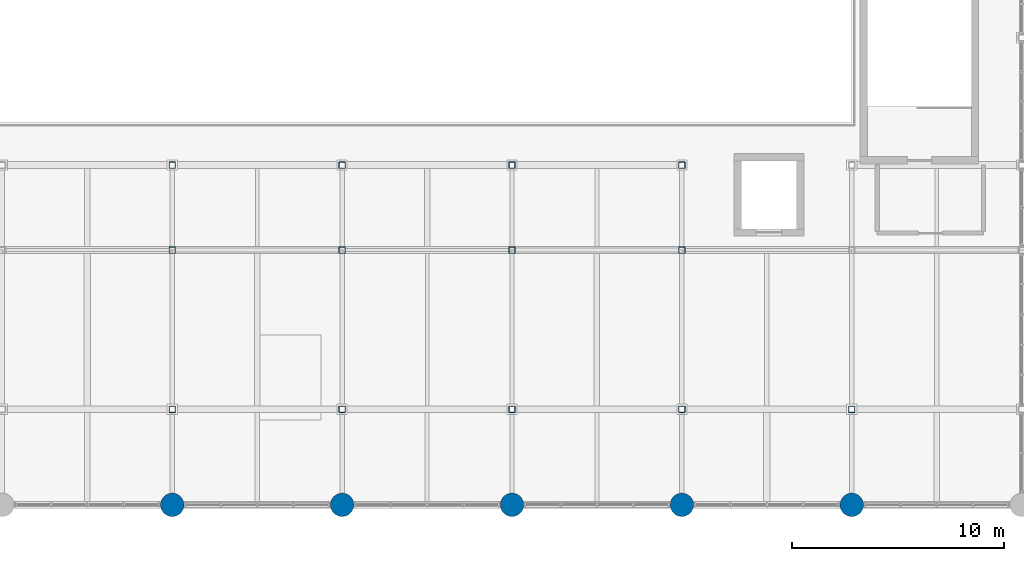
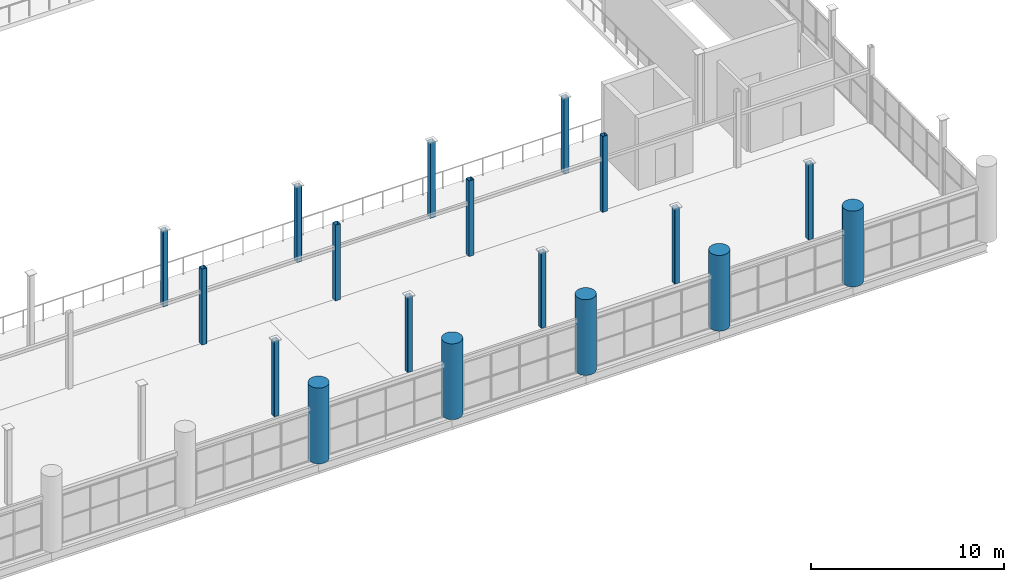
# One storey, part 5 of 114: 18 columns.
"""IFC4 building model written with IfcOpenShell, lengths in metres."""

from ifc_helpers import new_model, si_unit, direction, frame, origin, origin_2d, place, context, subcontext, project, spatial, hollow_rectangle, circle, extrude, material, material_profile, profile_set, type_object, element, save


model = new_model("IFC4")

# Units and contexts
model_context = context("Model", 3, precision=1e-05, world=origin(), true_north=direction((0.0, 1.0)))
body_context = subcontext(model_context, "Body", "Model", "MODEL_VIEW")
ifc_project = project(units=[si_unit("LENGTHUNIT", "METRE"), si_unit("AREAUNIT", "SQUARE_METRE"), si_unit("VOLUMEUNIT", "CUBIC_METRE"), si_unit("PLANEANGLEUNIT", "RADIAN"), si_unit("MASSUNIT", "GRAM", prefix="KILO")], contexts=[model_context])

# Site, building, storey
site_placement = place(None, origin())
site = spatial("IfcSite", under=ifc_project, at=site_placement, CompositionType="ELEMENT")
building_placement = place(site_placement, origin())
building = spatial("IfcBuilding", under=site, at=building_placement, Name="Verrall Gate Interchange", CompositionType="ELEMENT")
storey_placement = place(building_placement, frame((0.0, 0.0, 6.60009765625)))
storey = spatial("IfcBuildingStorey", under=building, at=storey_placement, Name="L02", CompositionType="ELEMENT", Elevation=6.60009765625)

# Columns
ifc_material_1 = material(Name="Concrete CSA A23.1 40 MPa (Class C-1)", Category="concrete")
ifc_material_profile_1 = material_profile(ifc_material_1, circle(Radius=0.550048828125, at=origin_2d()), Name="RC1100D")
ifc_profile_set_1 = profile_set([ifc_material_profile_1], Name="Concrete CSA A23.1 40 MPa (Class C-1)")
column_type_1 = type_object("IfcColumnType", Name="C-06 Column RC1100D", PredefinedType="COLUMN", material=ifc_profile_set_1)
for number, where, z_axis, x_axis, name in (
    (1, (68.0, 0.0, 0.0), (0.0, 0.0, 1.0), (1.0, 0.0, 0.0), "L02 Column COL-L02-0941 (C-06)"),
    (2, (76.0, 0.0, 0.0), (0.0, 0.0, 1.0), (1.0, 0.0, 0.0), "L02 Column COL-L02-0975 (C-06)"),
    (3, (84.0, 0.0, 0.0), (0.0, 0.0, 1.0), (1.0, 0.0, 0.0), "L02 Column COL-L02-1013 (C-06)"),
    (4, (92.0, 0.0, 0.0), (0.0, 0.0, 1.0), (1.0, 0.0, 0.0), "L02 Column COL-L02-1051 (C-06)"),
    (5, (100.0, 0.0, 0.0), (0.0, 0.0, 1.0), (1.0, 0.0, 0.0), "L02 Column COL-L02-1087 (C-06)"),
):
    element("IfcColumn", number, at=place(storey_placement, frame(where, z_axis=z_axis, x_axis=x_axis)), inside=storey, type_object=column_type_1, Name=name, PredefinedType="COLUMN", context=body_context, shape_type="SweptSolid", body=[
        extrude(circle(Radius=0.550048828125, at=origin_2d()), origin(), (0.0, 0.0, 1.0), 4.7998046875),
    ])
ifc_material_2 = material(Name="Structural Steel CSA G40.21 350WT Cat 4", Category="steel")
ifc_material_profile_2 = material_profile(ifc_material_2, hollow_rectangle(XDim=0.304931640625, YDim=0.304931640625, WallThickness=0.0126953125, InnerFilletRadius=0.0126953125, OuterFilletRadius=0.025390625, at=origin_2d()), Name="HSS305x305x13")
ifc_profile_set_2 = profile_set([ifc_material_profile_2], Name="Structural Steel CSA G40.21 350WT Cat 4")
column_type_2 = type_object("IfcColumnType", Name="C-12 Column HSS305x305x13", PredefinedType="COLUMN", material=ifc_profile_set_2)
for number, where, z_axis, x_axis, name in (
    (6, (68.0, 4.5, 0.0), (0.0, 0.0, 1.0), (1.0, 0.0, 0.0), "L02 Column COL-L02-0945 (C-12)"),
    (7, (68.0, 12.0, 0.0), (0.0, 0.0, 1.0), (1.0, 0.0, 0.0), "L02 Column COL-L02-0949 (C-12)"),
    (8, (68.0, 16.0, 0.0), (0.0, 0.0, 1.0), (1.0, 0.0, 0.0), "L02 Column COL-L02-0953 (C-12)"),
    (9, (76.0, 4.5, 0.0), (0.0, 0.0, 1.0), (1.0, 0.0, 0.0), "L02 Column COL-L02-0979 (C-12)"),
    (10, (76.0, 12.0, 0.0), (0.0, 0.0, 1.0), (1.0, 0.0, 0.0), "L02 Column COL-L02-0983 (C-12)"),
    (11, (76.0, 16.0, 0.0), (0.0, 0.0, 1.0), (1.0, 0.0, 0.0), "L02 Column COL-L02-0987 (C-12)"),
    (12, (84.0, 4.5, 0.0), (0.0, 0.0, 1.0), (1.0, 0.0, 0.0), "L02 Column COL-L02-1017 (C-12)"),
    (13, (84.0, 12.0, 0.0), (0.0, 0.0, 1.0), (1.0, 0.0, 0.0), "L02 Column COL-L02-1021 (C-12)"),
    (14, (84.0, 16.0, 0.0), (0.0, 0.0, 1.0), (1.0, 0.0, 0.0), "L02 Column COL-L02-1025 (C-12)"),
    (15, (92.0, 4.5, 0.0), (0.0, 0.0, 1.0), (1.0, 0.0, 0.0), "L02 Column COL-L02-1055 (C-12)"),
    (16, (92.0, 12.0, 0.0), (0.0, 0.0, 1.0), (1.0, 0.0, 0.0), "L02 Column COL-L02-1059 (C-12)"),
    (17, (92.0, 16.0, 0.0), (0.0, 0.0, 1.0), (1.0, 0.0, 0.0), "L02 Column COL-L02-1063 (C-12)"),
    (18, (100.0, 4.5, 0.0), (0.0, 0.0, 1.0), (1.0, 0.0, 0.0), "L02 Column COL-L02-1091 (C-12)"),
):
    element("IfcColumn", number, at=place(storey_placement, frame(where, z_axis=z_axis, x_axis=x_axis)), inside=storey, type_object=column_type_2, Name=name, PredefinedType="COLUMN", context=body_context, shape_type="SweptSolid", body=[
        extrude(hollow_rectangle(XDim=0.304931640625, YDim=0.304931640625, WallThickness=0.0126953125, InnerFilletRadius=0.0126953125, OuterFilletRadius=0.025390625, at=origin_2d()), origin(), (0.0, 0.0, 1.0), 4.7998046875),
    ])

save(model, "model.ifc")
